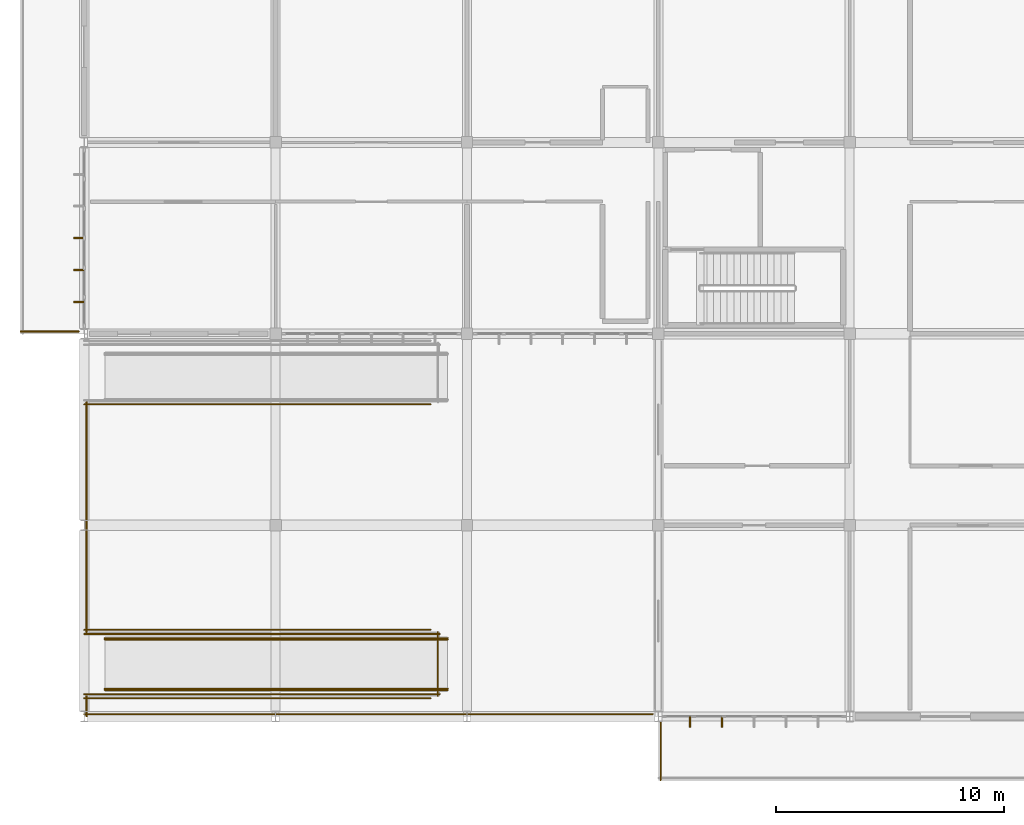
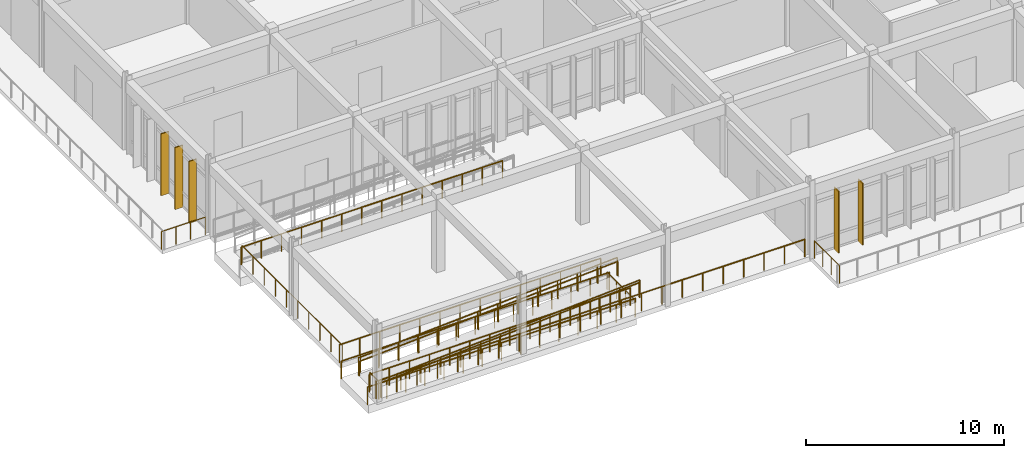
# One storey, part 115 of 138: 15 railings, 5 shading devices.
"""IFC4 building model written with IfcOpenShell, lengths in metres."""

from ifc_helpers import new_model, si_unit, direction, frame, origin, origin_2d, place, context, subcontext, project, spatial, rectangle, circle, extrude, material, material_profile, profile_set, type_object, element, save


model = new_model("IFC4")

# Units and contexts
model_context = context("Model", 3, precision=1e-05, world=origin(), true_north=direction((0.0, 1.0)))
body_context = subcontext(model_context, "Body", "Model", "MODEL_VIEW")
ifc_project = project(units=[si_unit("LENGTHUNIT", "METRE"), si_unit("AREAUNIT", "SQUARE_METRE"), si_unit("VOLUMEUNIT", "CUBIC_METRE"), si_unit("PLANEANGLEUNIT", "RADIAN"), si_unit("MASSUNIT", "GRAM", prefix="KILO")], contexts=[model_context])

# Site, building, storey
site_placement = place(None, origin())
site = spatial("IfcSite", under=ifc_project, at=site_placement, CompositionType="ELEMENT")
building_placement = place(site_placement, origin())
building = spatial("IfcBuilding", under=site, at=building_placement, Name="Bramfleet General Hospital", CompositionType="ELEMENT")
storey_placement = place(building_placement, origin())
storey = spatial("IfcBuildingStorey", under=building, at=storey_placement, Name="L00", CompositionType="ELEMENT", Elevation=0.0)

# Railings
ifc_material_1 = material(Name="Stainless steel 1.4401 safety balustrade", Category="steel")
railing_type_1 = type_object("IfcRailingType", Name="RAIL-EXT-GUARD", PredefinedType="GUARDRAIL", material=ifc_material_1)
railing_1_placement = place(storey_placement, frame((25.300048828125, -2.800048828125, 0.0)))
element("IfcRailing", 1, at=railing_1_placement, inside=storey, type_object=railing_type_1, Name="L00 Flood-Plinth Guard 221", PredefinedType="GUARDRAIL", context=body_context, shape_type="SweptSolid", body=[
    extrude(circle(Radius=0.02392578125, at=origin_2d()), frame((0.0, 0.0, 1.076171875), z_axis=(0.0, 1.0, 0.0), x_axis=(-1.0, 0.0, 0.0)), (0.0, 0.0, 1.0), 2.550048828125),
    extrude(circle(Radius=0.02099609375, at=origin_2d()), origin(), (0.0, 0.0, 1.0), 1.052001953125),
    extrude(circle(Radius=0.02099609375, at=origin_2d()), frame((0.0, 0.85009765625, 0.0)), (0.0, 0.0, 1.0), 1.052001953125),
    extrude(circle(Radius=0.02099609375, at=origin_2d()), frame((0.0, 1.699951171875, 0.0)), (0.0, 0.0, 1.0), 1.052001953125),
    extrude(circle(Radius=0.02099609375, at=origin_2d()), frame((0.0, 2.550048828125, 0.0)), (0.0, 0.0, 1.0), 1.052001953125),
])
railing_2_placement = place(storey_placement, frame((24.949951171875, 0.10009765625, 0.0)))
element("IfcRailing", 2, at=railing_2_placement, inside=storey, type_object=railing_type_1, Name="L00 Flood-Plinth Guard 222", PredefinedType="GUARDRAIL", context=body_context, shape_type="SweptSolid", body=[
    extrude(circle(Radius=0.02392578125, at=origin_2d()), frame((0.0, 0.0, 1.076171875), z_axis=(-1.0, 0.0, 0.0), x_axis=(0.0, -1.0, 0.0)), (0.0, 0.0, 1.0), 24.949951171875),
    extrude(circle(Radius=0.02099609375, at=origin_2d()), origin(), (0.0, 0.0, 1.0), 1.052001953125),
    extrude(circle(Radius=0.02099609375, at=origin_2d()), frame((-1.18798828125, 0.0, 0.0)), (0.0, 0.0, 1.0), 1.052001953125),
    extrude(circle(Radius=0.02099609375, at=origin_2d()), frame((-2.376220703125, 0.0, 0.0)), (0.0, 0.0, 1.0), 1.052001953125),
    extrude(circle(Radius=0.02099609375, at=origin_2d()), frame((-3.564208984375, 0.0, 0.0)), (0.0, 0.0, 1.0), 1.052001953125),
    extrude(circle(Radius=0.02099609375, at=origin_2d()), frame((-4.75244140625, 0.0, 0.0)), (0.0, 0.0, 1.0), 1.052001953125),
    extrude(circle(Radius=0.02099609375, at=origin_2d()), frame((-5.9404296875, 0.0, 0.0)), (0.0, 0.0, 1.0), 1.052001953125),
    extrude(circle(Radius=0.02099609375, at=origin_2d()), frame((-7.128662109375, 0.0, 0.0)), (0.0, 0.0, 1.0), 1.052001953125),
    extrude(circle(Radius=0.02099609375, at=origin_2d()), frame((-8.316650390625, 0.0, 0.0)), (0.0, 0.0, 1.0), 1.052001953125),
    extrude(circle(Radius=0.02099609375, at=origin_2d()), frame((-9.504638671875, 0.0, 0.0)), (0.0, 0.0, 1.0), 1.052001953125),
    extrude(circle(Radius=0.02099609375, at=origin_2d()), frame((-10.69287109375, 0.0, 0.0)), (0.0, 0.0, 1.0), 1.052001953125),
    extrude(circle(Radius=0.02099609375, at=origin_2d()), frame((-11.880859375, 0.0, 0.0)), (0.0, 0.0, 1.0), 1.052001953125),
    extrude(circle(Radius=0.02099609375, at=origin_2d()), frame((-13.069091796875, 0.0, 0.0)), (0.0, 0.0, 1.0), 1.052001953125),
    extrude(circle(Radius=0.02099609375, at=origin_2d()), frame((-14.257080078125, 0.0, 0.0)), (0.0, 0.0, 1.0), 1.052001953125),
    extrude(circle(Radius=0.02099609375, at=origin_2d()), frame((-15.4453125, 0.0, 0.0)), (0.0, 0.0, 1.0), 1.052001953125),
    extrude(circle(Radius=0.02099609375, at=origin_2d()), frame((-16.63330078125, 0.0, 0.0)), (0.0, 0.0, 1.0), 1.052001953125),
    extrude(circle(Radius=0.02099609375, at=origin_2d()), frame((-17.8212890625, 0.0, 0.0)), (0.0, 0.0, 1.0), 1.052001953125),
    extrude(circle(Radius=0.02099609375, at=origin_2d()), frame((-19.009521484375, 0.0, 0.0)), (0.0, 0.0, 1.0), 1.052001953125),
    extrude(circle(Radius=0.02099609375, at=origin_2d()), frame((-20.197509765625, 0.0, 0.0)), (0.0, 0.0, 1.0), 1.052001953125),
    extrude(circle(Radius=0.02099609375, at=origin_2d()), frame((-21.3857421875, 0.0, 0.0)), (0.0, 0.0, 1.0), 1.052001953125),
    extrude(circle(Radius=0.02099609375, at=origin_2d()), frame((-22.57373046875, 0.0, 0.0)), (0.0, 0.0, 1.0), 1.052001953125),
    extrude(circle(Radius=0.02099609375, at=origin_2d()), frame((-23.761962890625, 0.0, 0.0)), (0.0, 0.0, 1.0), 1.052001953125),
    extrude(circle(Radius=0.02099609375, at=origin_2d()), frame((-24.949951171875, 0.0, 0.0)), (0.0, 0.0, 1.0), 1.052001953125),
])
railing_3_placement = place(storey_placement, frame((0.10009765625, 0.0, 0.0)))
element("IfcRailing", 3, at=railing_3_placement, inside=storey, type_object=railing_type_1, Name="L00 Flood-Plinth Guard 223", PredefinedType="GUARDRAIL", context=body_context, shape_type="SweptSolid", body=[
    extrude(circle(Radius=0.02392578125, at=origin_2d()), frame((0.0, 0.0, 1.076171875), z_axis=(0.0, 1.0, 0.0), x_axis=(-1.0, 0.0, 0.0)), (0.0, 0.0, 1.0), 0.89990234375),
    extrude(circle(Radius=0.02099609375, at=origin_2d()), origin(), (0.0, 0.0, 1.0), 1.052001953125),
    extrude(circle(Radius=0.02099609375, at=origin_2d()), frame((0.0, 0.89990234375, 0.0)), (0.0, 0.0, 1.0), 1.052001953125),
])
railing_4_placement = place(storey_placement, frame((0.0, 0.800048828125, 0.0)))
element("IfcRailing", 4, at=railing_4_placement, inside=storey, type_object=railing_type_1, Name="L00 Flood-Plinth Guard 224", PredefinedType="GUARDRAIL", context=body_context, shape_type="SweptSolid", body=[
    extrude(circle(Radius=0.02392578125, at=origin_2d()), frame((0.0, 0.0, 1.076171875), z_axis=(1.0, 0.0, 0.0), x_axis=(0.0, 1.0, 0.0)), (0.0, 0.0, 1.0), 15.199951171875),
    extrude(circle(Radius=0.02099609375, at=origin_2d()), origin(), (0.0, 0.0, 1.0), 1.052001953125),
    extrude(circle(Radius=0.02099609375, at=origin_2d()), frame((1.169189453125, 0.0, 0.0)), (0.0, 0.0, 1.0), 1.052001953125),
    extrude(circle(Radius=0.02099609375, at=origin_2d()), frame((2.33837890625, 0.0, 0.0)), (0.0, 0.0, 1.0), 1.052001953125),
    extrude(circle(Radius=0.02099609375, at=origin_2d()), frame((3.507568359375, 0.0, 0.0)), (0.0, 0.0, 1.0), 1.052001953125),
    extrude(circle(Radius=0.02099609375, at=origin_2d()), frame((4.677001953125, 0.0, 0.0)), (0.0, 0.0, 1.0), 1.052001953125),
    extrude(circle(Radius=0.02099609375, at=origin_2d()), frame((5.84619140625, 0.0, 0.0)), (0.0, 0.0, 1.0), 1.052001953125),
    extrude(circle(Radius=0.02099609375, at=origin_2d()), frame((7.015380859375, 0.0, 0.0)), (0.0, 0.0, 1.0), 1.052001953125),
    extrude(circle(Radius=0.02099609375, at=origin_2d()), frame((8.1845703125, 0.0, 0.0)), (0.0, 0.0, 1.0), 1.052001953125),
    extrude(circle(Radius=0.02099609375, at=origin_2d()), frame((9.353759765625, 0.0, 0.0)), (0.0, 0.0, 1.0), 1.052001953125),
    extrude(circle(Radius=0.02099609375, at=origin_2d()), frame((10.52294921875, 0.0, 0.0)), (0.0, 0.0, 1.0), 1.052001953125),
    extrude(circle(Radius=0.02099609375, at=origin_2d()), frame((11.6923828125, 0.0, 0.0)), (0.0, 0.0, 1.0), 1.052001953125),
    extrude(circle(Radius=0.02099609375, at=origin_2d()), frame((12.861572265625, 0.0, 0.0)), (0.0, 0.0, 1.0), 1.052001953125),
    extrude(circle(Radius=0.02099609375, at=origin_2d()), frame((14.03076171875, 0.0, 0.0)), (0.0, 0.0, 1.0), 1.052001953125),
    extrude(circle(Radius=0.02099609375, at=origin_2d()), frame((15.199951171875, 0.0, 0.0)), (0.0, 0.0, 1.0), 1.052001953125),
])
railing_5_placement = place(storey_placement, frame((15.199951171875, 3.800048828125, 0.0)))
element("IfcRailing", 5, at=railing_5_placement, inside=storey, type_object=railing_type_1, Name="L00 Flood-Plinth Guard 225", PredefinedType="GUARDRAIL", context=body_context, shape_type="SweptSolid", body=[
    extrude(circle(Radius=0.02392578125, at=origin_2d()), frame((0.0, 0.0, 1.076171875), z_axis=(-1.0, 0.0, 0.0), x_axis=(0.0, -1.0, 0.0)), (0.0, 0.0, 1.0), 15.199951171875),
    extrude(circle(Radius=0.02099609375, at=origin_2d()), origin(), (0.0, 0.0, 1.0), 1.052001953125),
    extrude(circle(Radius=0.02099609375, at=origin_2d()), frame((-1.169189453125, 0.0, 0.0)), (0.0, 0.0, 1.0), 1.052001953125),
    extrude(circle(Radius=0.02099609375, at=origin_2d()), frame((-2.33837890625, 0.0, 0.0)), (0.0, 0.0, 1.0), 1.052001953125),
    extrude(circle(Radius=0.02099609375, at=origin_2d()), frame((-3.507568359375, 0.0, 0.0)), (0.0, 0.0, 1.0), 1.052001953125),
    extrude(circle(Radius=0.02099609375, at=origin_2d()), frame((-4.677001953125, 0.0, 0.0)), (0.0, 0.0, 1.0), 1.052001953125),
    extrude(circle(Radius=0.02099609375, at=origin_2d()), frame((-5.84619140625, 0.0, 0.0)), (0.0, 0.0, 1.0), 1.052001953125),
    extrude(circle(Radius=0.02099609375, at=origin_2d()), frame((-7.015380859375, 0.0, 0.0)), (0.0, 0.0, 1.0), 1.052001953125),
    extrude(circle(Radius=0.02099609375, at=origin_2d()), frame((-8.1845703125, 0.0, 0.0)), (0.0, 0.0, 1.0), 1.052001953125),
    extrude(circle(Radius=0.02099609375, at=origin_2d()), frame((-9.353759765625, 0.0, 0.0)), (0.0, 0.0, 1.0), 1.052001953125),
    extrude(circle(Radius=0.02099609375, at=origin_2d()), frame((-10.52294921875, 0.0, 0.0)), (0.0, 0.0, 1.0), 1.052001953125),
    extrude(circle(Radius=0.02099609375, at=origin_2d()), frame((-11.6923828125, 0.0, 0.0)), (0.0, 0.0, 1.0), 1.052001953125),
    extrude(circle(Radius=0.02099609375, at=origin_2d()), frame((-12.861572265625, 0.0, 0.0)), (0.0, 0.0, 1.0), 1.052001953125),
    extrude(circle(Radius=0.02099609375, at=origin_2d()), frame((-14.03076171875, 0.0, 0.0)), (0.0, 0.0, 1.0), 1.052001953125),
    extrude(circle(Radius=0.02099609375, at=origin_2d()), frame((-15.199951171875, 0.0, 0.0)), (0.0, 0.0, 1.0), 1.052001953125),
])
railing_6_placement = place(storey_placement, frame((0.10009765625, 3.699951171875, 0.0)))
element("IfcRailing", 6, at=railing_6_placement, inside=storey, type_object=railing_type_1, Name="L00 Flood-Plinth Guard 226", PredefinedType="GUARDRAIL", context=body_context, shape_type="SweptSolid", body=[
    extrude(circle(Radius=0.02392578125, at=origin_2d()), frame((0.0, 0.0, 1.076171875), z_axis=(0.0, 1.0, 0.0), x_axis=(-1.0, 0.0, 0.0)), (0.0, 0.0, 1.0), 10.10009765625),
    extrude(circle(Radius=0.02099609375, at=origin_2d()), origin(), (0.0, 0.0, 1.0), 1.052001953125),
    extrude(circle(Radius=0.02099609375, at=origin_2d()), frame((0.0, 1.122314453125, 0.0)), (0.0, 0.0, 1.0), 1.052001953125),
    extrude(circle(Radius=0.02099609375, at=origin_2d()), frame((0.0, 2.244384765625, 0.0)), (0.0, 0.0, 1.0), 1.052001953125),
    extrude(circle(Radius=0.02099609375, at=origin_2d()), frame((0.0, 3.36669921875, 0.0)), (0.0, 0.0, 1.0), 1.052001953125),
    extrude(circle(Radius=0.02099609375, at=origin_2d()), frame((0.0, 4.489013671875, 0.0)), (0.0, 0.0, 1.0), 1.052001953125),
    extrude(circle(Radius=0.02099609375, at=origin_2d()), frame((0.0, 5.611083984375, 0.0)), (0.0, 0.0, 1.0), 1.052001953125),
    extrude(circle(Radius=0.02099609375, at=origin_2d()), frame((0.0, 6.7333984375, 0.0)), (0.0, 0.0, 1.0), 1.052001953125),
    extrude(circle(Radius=0.02099609375, at=origin_2d()), frame((0.0, 7.855712890625, 0.0)), (0.0, 0.0, 1.0), 1.052001953125),
    extrude(circle(Radius=0.02099609375, at=origin_2d()), frame((0.0, 8.977783203125, 0.0)), (0.0, 0.0, 1.0), 1.052001953125),
    extrude(circle(Radius=0.02099609375, at=origin_2d()), frame((0.0, 10.10009765625, 0.0)), (0.0, 0.0, 1.0), 1.052001953125),
])
railing_7_placement = place(storey_placement, frame((0.0, 13.699951171875, 0.0)))
element("IfcRailing", 7, at=railing_7_placement, inside=storey, type_object=railing_type_1, Name="L00 Flood-Plinth Guard 227", PredefinedType="GUARDRAIL", context=body_context, shape_type="SweptSolid", body=[
    extrude(circle(Radius=0.02392578125, at=origin_2d()), frame((0.0, 0.0, 1.076171875), z_axis=(1.0, 0.0, 0.0), x_axis=(0.0, 1.0, 0.0)), (0.0, 0.0, 1.0), 15.199951171875),
    extrude(circle(Radius=0.02099609375, at=origin_2d()), origin(), (0.0, 0.0, 1.0), 1.052001953125),
    extrude(circle(Radius=0.02099609375, at=origin_2d()), frame((1.169189453125, 0.0, 0.0)), (0.0, 0.0, 1.0), 1.052001953125),
    extrude(circle(Radius=0.02099609375, at=origin_2d()), frame((2.33837890625, 0.0, 0.0)), (0.0, 0.0, 1.0), 1.052001953125),
    extrude(circle(Radius=0.02099609375, at=origin_2d()), frame((3.507568359375, 0.0, 0.0)), (0.0, 0.0, 1.0), 1.052001953125),
    extrude(circle(Radius=0.02099609375, at=origin_2d()), frame((4.677001953125, 0.0, 0.0)), (0.0, 0.0, 1.0), 1.052001953125),
    extrude(circle(Radius=0.02099609375, at=origin_2d()), frame((5.84619140625, 0.0, 0.0)), (0.0, 0.0, 1.0), 1.052001953125),
    extrude(circle(Radius=0.02099609375, at=origin_2d()), frame((7.015380859375, 0.0, 0.0)), (0.0, 0.0, 1.0), 1.052001953125),
    extrude(circle(Radius=0.02099609375, at=origin_2d()), frame((8.1845703125, 0.0, 0.0)), (0.0, 0.0, 1.0), 1.052001953125),
    extrude(circle(Radius=0.02099609375, at=origin_2d()), frame((9.353759765625, 0.0, 0.0)), (0.0, 0.0, 1.0), 1.052001953125),
    extrude(circle(Radius=0.02099609375, at=origin_2d()), frame((10.52294921875, 0.0, 0.0)), (0.0, 0.0, 1.0), 1.052001953125),
    extrude(circle(Radius=0.02099609375, at=origin_2d()), frame((11.6923828125, 0.0, 0.0)), (0.0, 0.0, 1.0), 1.052001953125),
    extrude(circle(Radius=0.02099609375, at=origin_2d()), frame((12.861572265625, 0.0, 0.0)), (0.0, 0.0, 1.0), 1.052001953125),
    extrude(circle(Radius=0.02099609375, at=origin_2d()), frame((14.03076171875, 0.0, 0.0)), (0.0, 0.0, 1.0), 1.052001953125),
    extrude(circle(Radius=0.02099609375, at=origin_2d()), frame((15.199951171875, 0.0, 0.0)), (0.0, 0.0, 1.0), 1.052001953125),
])
railing_8_placement = place(storey_placement, frame((-0.25, 16.89990234375, 0.0)))
element("IfcRailing", 8, at=railing_8_placement, inside=storey, type_object=railing_type_1, Name="L00 Flood-Plinth Guard 229", PredefinedType="GUARDRAIL", context=body_context, shape_type="SweptSolid", body=[
    extrude(circle(Radius=0.02392578125, at=origin_2d()), frame((0.0, 0.0, 1.076171875), z_axis=(-1.0, 0.0, 0.0), x_axis=(0.0, -1.0, 0.0)), (0.0, 0.0, 1.0), 2.550048828125),
    extrude(circle(Radius=0.02099609375, at=origin_2d()), origin(), (0.0, 0.0, 1.0), 1.052001953125),
    extrude(circle(Radius=0.02099609375, at=origin_2d()), frame((-0.85009765625, 0.0, 0.0)), (0.0, 0.0, 1.0), 1.052001953125),
    extrude(circle(Radius=0.02099609375, at=origin_2d()), frame((-1.699951171875, 0.0, 0.0)), (0.0, 0.0, 1.0), 1.052001953125),
    extrude(circle(Radius=0.02099609375, at=origin_2d()), frame((-2.550048828125, 0.0, 0.0)), (0.0, 0.0, 1.0), 1.052001953125),
])
railing_9_placement = place(storey_placement, frame((0.0, 0.97998046875, -0.89990234375)))
element("IfcRailing", 9, at=railing_9_placement, inside=storey, type_object=railing_type_1, Name="Ramp Pocket Guard 3.250", PredefinedType="GUARDRAIL", context=body_context, shape_type="SweptSolid", body=[
    extrude(circle(Radius=0.02392578125, at=origin_2d()), frame((0.0, 0.0, 1.076171875), z_axis=(1.0, 0.0, 0.0), x_axis=(0.0, 1.0, 0.0)), (0.0, 0.0, 1.0), 15.60009765625),
    extrude(circle(Radius=0.02099609375, at=origin_2d()), origin(), (0.0, 0.0, 1.0), 1.052001953125),
    extrude(circle(Radius=0.02099609375, at=origin_2d()), frame((1.1142578125, 0.0, 0.0)), (0.0, 0.0, 1.0), 1.052001953125),
    extrude(circle(Radius=0.02099609375, at=origin_2d()), frame((2.228515625, 0.0, 0.0)), (0.0, 0.0, 1.0), 1.052001953125),
    extrude(circle(Radius=0.02099609375, at=origin_2d()), frame((3.3427734375, 0.0, 0.0)), (0.0, 0.0, 1.0), 1.052001953125),
    extrude(circle(Radius=0.02099609375, at=origin_2d()), frame((4.457275390625, 0.0, 0.0)), (0.0, 0.0, 1.0), 1.052001953125),
    extrude(circle(Radius=0.02099609375, at=origin_2d()), frame((5.571533203125, 0.0, 0.0)), (0.0, 0.0, 1.0), 1.052001953125),
    extrude(circle(Radius=0.02099609375, at=origin_2d()), frame((6.685791015625, 0.0, 0.0)), (0.0, 0.0, 1.0), 1.052001953125),
    extrude(circle(Radius=0.02099609375, at=origin_2d()), frame((7.800048828125, 0.0, 0.0)), (0.0, 0.0, 1.0), 1.052001953125),
    extrude(circle(Radius=0.02099609375, at=origin_2d()), frame((8.914306640625, 0.0, 0.0)), (0.0, 0.0, 1.0), 1.052001953125),
    extrude(circle(Radius=0.02099609375, at=origin_2d()), frame((10.028564453125, 0.0, 0.0)), (0.0, 0.0, 1.0), 1.052001953125),
    extrude(circle(Radius=0.02099609375, at=origin_2d()), frame((11.142822265625, 0.0, 0.0)), (0.0, 0.0, 1.0), 1.052001953125),
    extrude(circle(Radius=0.02099609375, at=origin_2d()), frame((12.25732421875, 0.0, 0.0)), (0.0, 0.0, 1.0), 1.052001953125),
    extrude(circle(Radius=0.02099609375, at=origin_2d()), frame((13.37158203125, 0.0, 0.0)), (0.0, 0.0, 1.0), 1.052001953125),
    extrude(circle(Radius=0.02099609375, at=origin_2d()), frame((14.48583984375, 0.0, 0.0)), (0.0, 0.0, 1.0), 1.052001953125),
    extrude(circle(Radius=0.02099609375, at=origin_2d()), frame((15.60009765625, 0.0, 0.0)), (0.0, 0.0, 1.0), 1.052001953125),
])
railing_10_placement = place(storey_placement, frame((15.52001953125, 0.89990234375, -0.89990234375)))
element("IfcRailing", 10, at=railing_10_placement, inside=storey, type_object=railing_type_1, Name="Ramp Pocket Guard 3.251", PredefinedType="GUARDRAIL", context=body_context, shape_type="SweptSolid", body=[
    extrude(circle(Radius=0.02392578125, at=origin_2d()), frame((0.0, 0.0, 1.076171875), z_axis=(0.0, 1.0, 0.0), x_axis=(-1.0, 0.0, 0.0)), (0.0, 0.0, 1.0), 2.800048828125),
    extrude(circle(Radius=0.02099609375, at=origin_2d()), origin(), (0.0, 0.0, 1.0), 1.052001953125),
    extrude(circle(Radius=0.02099609375, at=origin_2d()), frame((0.0, 0.933349609375, 0.0)), (0.0, 0.0, 1.0), 1.052001953125),
    extrude(circle(Radius=0.02099609375, at=origin_2d()), frame((0.0, 1.86669921875, 0.0)), (0.0, 0.0, 1.0), 1.052001953125),
    extrude(circle(Radius=0.02099609375, at=origin_2d()), frame((0.0, 2.800048828125, 0.0)), (0.0, 0.0, 1.0), 1.052001953125),
])
railing_11_placement = place(storey_placement, frame((15.60009765625, 3.6201171875, -0.89990234375)))
element("IfcRailing", 11, at=railing_11_placement, inside=storey, type_object=railing_type_1, Name="Ramp Pocket Guard 3.252", PredefinedType="GUARDRAIL", context=body_context, shape_type="SweptSolid", body=[
    extrude(circle(Radius=0.02392578125, at=origin_2d()), frame((0.0, 0.0, 1.076171875), z_axis=(-1.0, 0.0, 0.0), x_axis=(0.0, -1.0, 0.0)), (0.0, 0.0, 1.0), 15.60009765625),
    extrude(circle(Radius=0.02099609375, at=origin_2d()), origin(), (0.0, 0.0, 1.0), 1.052001953125),
    extrude(circle(Radius=0.02099609375, at=origin_2d()), frame((-1.1142578125, 0.0, 0.0)), (0.0, 0.0, 1.0), 1.052001953125),
    extrude(circle(Radius=0.02099609375, at=origin_2d()), frame((-2.228515625, 0.0, 0.0)), (0.0, 0.0, 1.0), 1.052001953125),
    extrude(circle(Radius=0.02099609375, at=origin_2d()), frame((-3.3427734375, 0.0, 0.0)), (0.0, 0.0, 1.0), 1.052001953125),
    extrude(circle(Radius=0.02099609375, at=origin_2d()), frame((-4.457275390625, 0.0, 0.0)), (0.0, 0.0, 1.0), 1.052001953125),
    extrude(circle(Radius=0.02099609375, at=origin_2d()), frame((-5.571533203125, 0.0, 0.0)), (0.0, 0.0, 1.0), 1.052001953125),
    extrude(circle(Radius=0.02099609375, at=origin_2d()), frame((-6.685791015625, 0.0, 0.0)), (0.0, 0.0, 1.0), 1.052001953125),
    extrude(circle(Radius=0.02099609375, at=origin_2d()), frame((-7.800048828125, 0.0, 0.0)), (0.0, 0.0, 1.0), 1.052001953125),
    extrude(circle(Radius=0.02099609375, at=origin_2d()), frame((-8.914306640625, 0.0, 0.0)), (0.0, 0.0, 1.0), 1.052001953125),
    extrude(circle(Radius=0.02099609375, at=origin_2d()), frame((-10.028564453125, 0.0, 0.0)), (0.0, 0.0, 1.0), 1.052001953125),
    extrude(circle(Radius=0.02099609375, at=origin_2d()), frame((-11.142822265625, 0.0, 0.0)), (0.0, 0.0, 1.0), 1.052001953125),
    extrude(circle(Radius=0.02099609375, at=origin_2d()), frame((-12.25732421875, 0.0, 0.0)), (0.0, 0.0, 1.0), 1.052001953125),
    extrude(circle(Radius=0.02099609375, at=origin_2d()), frame((-13.37158203125, 0.0, 0.0)), (0.0, 0.0, 1.0), 1.052001953125),
    extrude(circle(Radius=0.02099609375, at=origin_2d()), frame((-14.48583984375, 0.0, 0.0)), (0.0, 0.0, 1.0), 1.052001953125),
    extrude(circle(Radius=0.02099609375, at=origin_2d()), frame((-15.60009765625, 0.0, 0.0)), (0.0, 0.0, 1.0), 1.052001953125),
])
railing_12_placement = place(storey_placement, frame((0.89990234375, 1.159912109375, -0.89990234375)))
element("IfcRailing", 12, at=railing_12_placement, inside=storey, type_object=railing_type_1, Name="South-West Plinth Barrier-Free Ramp Guardrail R", PredefinedType="GUARDRAIL", context=body_context, shape_type="SweptSolid", body=[
    extrude(circle(Radius=0.02392578125, at=origin_2d()), frame((0.0, 0.0, 1.076171875), z_axis=(0.998217119233, 0.0, 0.059687376129), x_axis=(0.0, 1.0, 0.0)), (0.0, 0.0, 1.0), 15.076904296875),
    extrude(circle(Radius=0.02099609375, at=origin_2d()), origin(), (0.0, 0.0, 1.0), 1.052001953125),
    extrude(circle(Radius=0.02099609375, at=origin_2d()), frame((1.15771484375, 0.0, 0.0693359375)), (0.0, 0.0, 1.0), 1.052001953125),
    extrude(circle(Radius=0.02099609375, at=origin_2d()), frame((2.3154296875, 0.0, 0.138427734375)), (0.0, 0.0, 1.0), 1.052001953125),
    extrude(circle(Radius=0.02099609375, at=origin_2d()), frame((3.47314453125, 0.0, 0.207763671875)), (0.0, 0.0, 1.0), 1.052001953125),
    extrude(circle(Radius=0.02099609375, at=origin_2d()), frame((4.630859375, 0.0, 0.27685546875)), (0.0, 0.0, 1.0), 1.052001953125),
    extrude(circle(Radius=0.02099609375, at=origin_2d()), frame((5.78857421875, 0.0, 0.34619140625)), (0.0, 0.0, 1.0), 1.052001953125),
    extrude(circle(Radius=0.02099609375, at=origin_2d()), frame((6.9462890625, 0.0, 0.415283203125)), (0.0, 0.0, 1.0), 1.052001953125),
    extrude(circle(Radius=0.02099609375, at=origin_2d()), frame((8.103759765625, 0.0, 0.484619140625)), (0.0, 0.0, 1.0), 1.052001953125),
    extrude(circle(Radius=0.02099609375, at=origin_2d()), frame((9.261474609375, 0.0, 0.5537109375)), (0.0, 0.0, 1.0), 1.052001953125),
    extrude(circle(Radius=0.02099609375, at=origin_2d()), frame((10.419189453125, 0.0, 0.623046875)), (0.0, 0.0, 1.0), 1.052001953125),
    extrude(circle(Radius=0.02099609375, at=origin_2d()), frame((11.576904296875, 0.0, 0.692138671875)), (0.0, 0.0, 1.0), 1.052001953125),
    extrude(circle(Radius=0.02099609375, at=origin_2d()), frame((12.734619140625, 0.0, 0.761474609375)), (0.0, 0.0, 1.0), 1.052001953125),
    extrude(circle(Radius=0.02099609375, at=origin_2d()), frame((13.892333984375, 0.0, 0.83056640625)), (0.0, 0.0, 1.0), 1.052001953125),
    extrude(circle(Radius=0.02099609375, at=origin_2d()), frame((15.050048828125, 0.0, 0.89990234375)), (0.0, 0.0, 1.0), 1.052001953125),
])
railing_13_placement = place(storey_placement, frame((0.89990234375, 3.43994140625, -0.89990234375)))
element("IfcRailing", 13, at=railing_13_placement, inside=storey, type_object=railing_type_1, Name="South-West Plinth Barrier-Free Ramp Guardrail L", PredefinedType="GUARDRAIL", context=body_context, shape_type="SweptSolid", body=[
    extrude(circle(Radius=0.02392578125, at=origin_2d()), frame((0.0, 0.0, 1.076171875), z_axis=(0.998217119233, 0.0, 0.059687376129), x_axis=(0.0, 1.0, 0.0)), (0.0, 0.0, 1.0), 15.076904296875),
    extrude(circle(Radius=0.02099609375, at=origin_2d()), origin(), (0.0, 0.0, 1.0), 1.052001953125),
    extrude(circle(Radius=0.02099609375, at=origin_2d()), frame((1.15771484375, 0.0, 0.0693359375)), (0.0, 0.0, 1.0), 1.052001953125),
    extrude(circle(Radius=0.02099609375, at=origin_2d()), frame((2.3154296875, 0.0, 0.138427734375)), (0.0, 0.0, 1.0), 1.052001953125),
    extrude(circle(Radius=0.02099609375, at=origin_2d()), frame((3.47314453125, 0.0, 0.207763671875)), (0.0, 0.0, 1.0), 1.052001953125),
    extrude(circle(Radius=0.02099609375, at=origin_2d()), frame((4.630859375, 0.0, 0.27685546875)), (0.0, 0.0, 1.0), 1.052001953125),
    extrude(circle(Radius=0.02099609375, at=origin_2d()), frame((5.78857421875, 0.0, 0.34619140625)), (0.0, 0.0, 1.0), 1.052001953125),
    extrude(circle(Radius=0.02099609375, at=origin_2d()), frame((6.9462890625, 0.0, 0.415283203125)), (0.0, 0.0, 1.0), 1.052001953125),
    extrude(circle(Radius=0.02099609375, at=origin_2d()), frame((8.103759765625, 0.0, 0.484619140625)), (0.0, 0.0, 1.0), 1.052001953125),
    extrude(circle(Radius=0.02099609375, at=origin_2d()), frame((9.261474609375, 0.0, 0.5537109375)), (0.0, 0.0, 1.0), 1.052001953125),
    extrude(circle(Radius=0.02099609375, at=origin_2d()), frame((10.419189453125, 0.0, 0.623046875)), (0.0, 0.0, 1.0), 1.052001953125),
    extrude(circle(Radius=0.02099609375, at=origin_2d()), frame((11.576904296875, 0.0, 0.692138671875)), (0.0, 0.0, 1.0), 1.052001953125),
    extrude(circle(Radius=0.02099609375, at=origin_2d()), frame((12.734619140625, 0.0, 0.761474609375)), (0.0, 0.0, 1.0), 1.052001953125),
    extrude(circle(Radius=0.02099609375, at=origin_2d()), frame((13.892333984375, 0.0, 0.83056640625)), (0.0, 0.0, 1.0), 1.052001953125),
    extrude(circle(Radius=0.02099609375, at=origin_2d()), frame((15.050048828125, 0.0, 0.89990234375)), (0.0, 0.0, 1.0), 1.052001953125),
])
ifc_material_2 = material(Name="Stainless steel 1.4401 handrail", Category="steel")
railing_type_2 = type_object("IfcRailingType", Name="RAIL-EXT-HND", PredefinedType="HANDRAIL", material=ifc_material_2)
railing_14_placement = place(storey_placement, frame((0.89990234375, 1.219970703125, -0.89990234375)))
element("IfcRailing", 14, at=railing_14_placement, inside=storey, type_object=railing_type_2, Name="South-West Plinth Barrier-Free Ramp Handrail R", PredefinedType="HANDRAIL", context=body_context, shape_type="SweptSolid", body=[
    extrude(circle(Radius=0.02392578125, at=origin_2d()), frame((0.0, 0.0, 0.8759765625), z_axis=(0.998217119233, 0.0, 0.059687376129), x_axis=(0.0, 1.0, 0.0)), (0.0, 0.0, 1.0), 15.076904296875),
    extrude(circle(Radius=0.02099609375, at=origin_2d()), origin(), (0.0, 0.0, 1.0), 0.851806640625),
    extrude(circle(Radius=0.02099609375, at=origin_2d()), frame((1.15771484375, 0.0, 0.0693359375)), (0.0, 0.0, 1.0), 0.851806640625),
    extrude(circle(Radius=0.02099609375, at=origin_2d()), frame((2.3154296875, 0.0, 0.138427734375)), (0.0, 0.0, 1.0), 0.851806640625),
    extrude(circle(Radius=0.02099609375, at=origin_2d()), frame((3.47314453125, 0.0, 0.207763671875)), (0.0, 0.0, 1.0), 0.851806640625),
    extrude(circle(Radius=0.02099609375, at=origin_2d()), frame((4.630859375, 0.0, 0.27685546875)), (0.0, 0.0, 1.0), 0.851806640625),
    extrude(circle(Radius=0.02099609375, at=origin_2d()), frame((5.78857421875, 0.0, 0.34619140625)), (0.0, 0.0, 1.0), 0.851806640625),
    extrude(circle(Radius=0.02099609375, at=origin_2d()), frame((6.9462890625, 0.0, 0.415283203125)), (0.0, 0.0, 1.0), 0.851806640625),
    extrude(circle(Radius=0.02099609375, at=origin_2d()), frame((8.103759765625, 0.0, 0.484619140625)), (0.0, 0.0, 1.0), 0.851806640625),
    extrude(circle(Radius=0.02099609375, at=origin_2d()), frame((9.261474609375, 0.0, 0.5537109375)), (0.0, 0.0, 1.0), 0.851806640625),
    extrude(circle(Radius=0.02099609375, at=origin_2d()), frame((10.419189453125, 0.0, 0.623046875)), (0.0, 0.0, 1.0), 0.851806640625),
    extrude(circle(Radius=0.02099609375, at=origin_2d()), frame((11.576904296875, 0.0, 0.692138671875)), (0.0, 0.0, 1.0), 0.851806640625),
    extrude(circle(Radius=0.02099609375, at=origin_2d()), frame((12.734619140625, 0.0, 0.761474609375)), (0.0, 0.0, 1.0), 0.851806640625),
    extrude(circle(Radius=0.02099609375, at=origin_2d()), frame((13.892333984375, 0.0, 0.83056640625)), (0.0, 0.0, 1.0), 0.851806640625),
    extrude(circle(Radius=0.02099609375, at=origin_2d()), frame((15.050048828125, 0.0, 0.89990234375)), (0.0, 0.0, 1.0), 0.851806640625),
])
railing_15_placement = place(storey_placement, frame((0.89990234375, 3.3798828125, -0.89990234375)))
element("IfcRailing", 15, at=railing_15_placement, inside=storey, type_object=railing_type_2, Name="South-West Plinth Barrier-Free Ramp Handrail L", PredefinedType="HANDRAIL", context=body_context, shape_type="SweptSolid", body=[
    extrude(circle(Radius=0.02392578125, at=origin_2d()), frame((0.0, 0.0, 0.8759765625), z_axis=(0.998217119233, 0.0, 0.059687376129), x_axis=(0.0, 1.0, 0.0)), (0.0, 0.0, 1.0), 15.076904296875),
    extrude(circle(Radius=0.02099609375, at=origin_2d()), origin(), (0.0, 0.0, 1.0), 0.851806640625),
    extrude(circle(Radius=0.02099609375, at=origin_2d()), frame((1.15771484375, 0.0, 0.0693359375)), (0.0, 0.0, 1.0), 0.851806640625),
    extrude(circle(Radius=0.02099609375, at=origin_2d()), frame((2.3154296875, 0.0, 0.138427734375)), (0.0, 0.0, 1.0), 0.851806640625),
    extrude(circle(Radius=0.02099609375, at=origin_2d()), frame((3.47314453125, 0.0, 0.207763671875)), (0.0, 0.0, 1.0), 0.851806640625),
    extrude(circle(Radius=0.02099609375, at=origin_2d()), frame((4.630859375, 0.0, 0.27685546875)), (0.0, 0.0, 1.0), 0.851806640625),
    extrude(circle(Radius=0.02099609375, at=origin_2d()), frame((5.78857421875, 0.0, 0.34619140625)), (0.0, 0.0, 1.0), 0.851806640625),
    extrude(circle(Radius=0.02099609375, at=origin_2d()), frame((6.9462890625, 0.0, 0.415283203125)), (0.0, 0.0, 1.0), 0.851806640625),
    extrude(circle(Radius=0.02099609375, at=origin_2d()), frame((8.103759765625, 0.0, 0.484619140625)), (0.0, 0.0, 1.0), 0.851806640625),
    extrude(circle(Radius=0.02099609375, at=origin_2d()), frame((9.261474609375, 0.0, 0.5537109375)), (0.0, 0.0, 1.0), 0.851806640625),
    extrude(circle(Radius=0.02099609375, at=origin_2d()), frame((10.419189453125, 0.0, 0.623046875)), (0.0, 0.0, 1.0), 0.851806640625),
    extrude(circle(Radius=0.02099609375, at=origin_2d()), frame((11.576904296875, 0.0, 0.692138671875)), (0.0, 0.0, 1.0), 0.851806640625),
    extrude(circle(Radius=0.02099609375, at=origin_2d()), frame((12.734619140625, 0.0, 0.761474609375)), (0.0, 0.0, 1.0), 0.851806640625),
    extrude(circle(Radius=0.02099609375, at=origin_2d()), frame((13.892333984375, 0.0, 0.83056640625)), (0.0, 0.0, 1.0), 0.851806640625),
    extrude(circle(Radius=0.02099609375, at=origin_2d()), frame((15.050048828125, 0.0, 0.89990234375)), (0.0, 0.0, 1.0), 0.851806640625),
])

# Shading devices
ifc_material_3 = material(Name="Treated European larch timber", Category="wood")
ifc_material_profile = material_profile(ifc_material_3, rectangle(XDim=0.06494140625, YDim=0.449951171875, at=origin_2d()), Name="LARCH FIN 450x65")
ifc_profile_set = profile_set([ifc_material_profile], Name="Treated European larch timber")
shading_device_type = type_object("IfcShadingDeviceType", Name="SHD-FIN-450", PredefinedType="USERDEFINED", material=ifc_profile_set)
for number, where, z_axis, x_axis, name in (
    (16, (28.0, -0.239990234375, -0.02001953125), (0.0, 0.0, 1.0), (-1.0, 0.0, 0.0), "L00 Larch Timber Shading Fin 142"),
    (17, (26.60009765625, -0.239990234375, -0.02001953125), (0.0, 0.0, 1.0), (-1.0, 0.0, 0.0), "L00 Larch Timber Shading Fin 143"),
    (18, (-0.239990234375, 18.199951171875, -0.02001953125), (0.0, 0.0, 1.0), (0.0, 1.0, 0.0), "L00 Larch Timber Shading Fin 154"),
    (19, (-0.239990234375, 19.60009765625, -0.02001953125), (0.0, 0.0, 1.0), (0.0, 1.0, 0.0), "L00 Larch Timber Shading Fin 155"),
    (20, (-0.239990234375, 21.0, -0.02001953125), (0.0, 0.0, 1.0), (0.0, 1.0, 0.0), "L00 Larch Timber Shading Fin 156"),
):
    element("IfcShadingDevice", number, at=place(storey_placement, frame(where, z_axis=z_axis, x_axis=x_axis)), inside=storey, type_object=shading_device_type, Name=name, ObjectType="Fin", PredefinedType="USERDEFINED", context=body_context, shape_type="SweptSolid", body=[
        extrude(rectangle(XDim=0.06494140625, YDim=0.449951171875, at=origin_2d()), origin(), (0.0, 0.0, 1.0), 3.820068359375),
    ])

save(model, "model.ifc")
